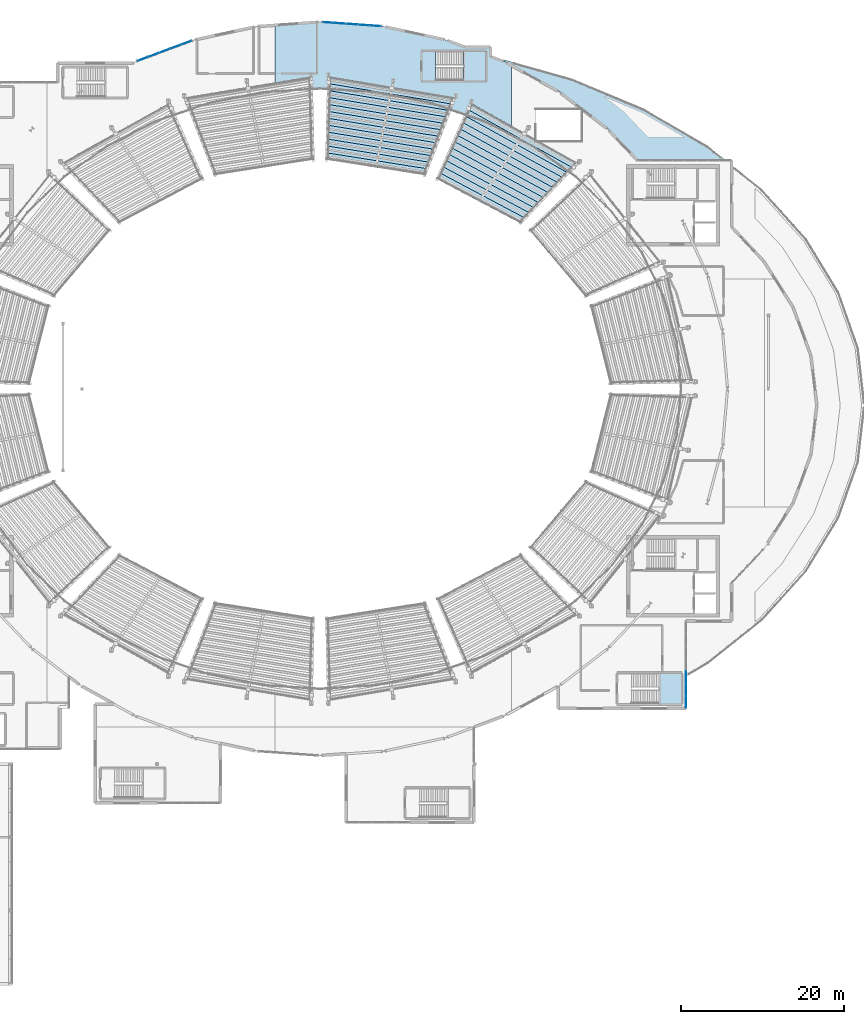
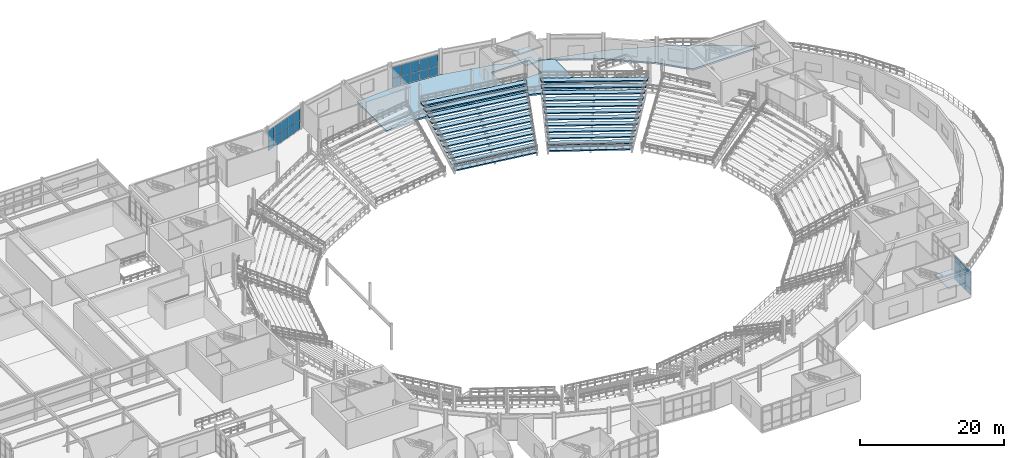
# One storey, part 50 of 81: 29 plates, 28 slabs, 5 elements without a shape of their own.
"""IFC4 building model written with IfcOpenShell, lengths in metres."""

from ifc_helpers import new_model, si_unit, direction, frame, origin, origin_2d, place, context, subcontext, project, spatial, polyline, rectangle, outline, extrude, material, layer, layer_set, type_object, element, aggregate, save


model = new_model("IFC4")

# Units and contexts
model_context = context("Model", 3, precision=1e-05, world=origin(), true_north=direction((0.0, 1.0)))
body_context = subcontext(model_context, "Body", "Model", "MODEL_VIEW")
ifc_project = project(units=[si_unit("LENGTHUNIT", "METRE"), si_unit("AREAUNIT", "SQUARE_METRE"), si_unit("VOLUMEUNIT", "CUBIC_METRE"), si_unit("PLANEANGLEUNIT", "RADIAN"), si_unit("MASSUNIT", "GRAM", prefix="KILO")], contexts=[model_context])

# Site, building, storey
site_placement = place(None, origin())
site = spatial("IfcSite", under=ifc_project, at=site_placement, CompositionType="ELEMENT")
building_placement = place(site_placement, origin())
building = spatial("IfcBuilding", under=site, at=building_placement, Name="Glasvene Arena", CompositionType="ELEMENT")
storey_placement = place(building_placement, frame((0.0, 0.0, 15.0)))
storey = spatial("IfcBuildingStorey", under=building, at=storey_placement, Name="L03", CompositionType="ELEMENT", Elevation=15.0)

# Curtain wall, plates
ifc_material_1 = material(Name="Low-emissivity laminated double glazing", Category="glass")
curtain_wall_type_1 = type_object("IfcCurtainWallType", Name="CW-FAC-L03-712x350", PredefinedType="USERDEFINED", material=ifc_material_1)
curtain_wall_1_placement = place(storey_placement, frame((69.58837890625, 113.20263671875, 0.0)))
curtain_wall_1 = element("IfcCurtainWall", 1, at=curtain_wall_1_placement, inside=storey, type_object=curtain_wall_type_1, Name="Unitised curtain wall CW-F-L03-150-729-1144-22", ObjectType="CURTAIN WALL", PredefinedType="USERDEFINED")
ifc_layer_1 = layer(ifc_material_1, 0.028076171875)
ifc_layer_set_1 = layer_set([ifc_layer_1], Name="Low-emissivity laminated double glazing")
plate_type = type_object("IfcPlateType", Name="CW-GLZ-28", PredefinedType="CURTAIN_PANEL", material=ifc_layer_set_1)
plate_1_placement = place(storey_placement, frame((70.267822265625, 113.455810546875, 0.10986328125), z_axis=(0.0, 0.0, 1.0), x_axis=(0.937011508436, 0.349298487055, 0.0)))
plate_1 = element("IfcPlate", 2, at=plate_1_placement, type_object=plate_type, Name="CW-036 panel 1.1", PredefinedType="CURTAIN_PANEL", context=body_context, shape_type="SweptSolid", body=[
    extrude(rectangle(XDim=1.349853515625, YDim=0.028076171875, at=origin_2d()), origin(), (0.0, 0.0, 1.0), 1.468017578125),
])
plate_2_placement = place(storey_placement, frame((70.267822265625, 113.455810546875, 1.6279296875), z_axis=(0.0, 0.0, 1.0), x_axis=(0.937011508436, 0.349298487055, 0.0)))
plate_2 = element("IfcPlate", 3, at=plate_2_placement, type_object=plate_type, Name="CW-036 panel 1.2", PredefinedType="CURTAIN_PANEL", context=body_context, shape_type="SweptSolid", body=[
    extrude(rectangle(XDim=1.349853515625, YDim=0.028076171875, at=origin_2d()), origin(), (0.0, 0.0, 1.0), 1.884033203125),
])
plate_3_placement = place(storey_placement, frame((71.59130859375, 113.94921875, 0.10986328125), z_axis=(0.0, 0.0, 1.0), x_axis=(0.937011508436, 0.349298487055, 0.0)))
plate_3 = element("IfcPlate", 4, at=plate_3_placement, type_object=plate_type, Name="CW-036 panel 2.1", PredefinedType="CURTAIN_PANEL", context=body_context, shape_type="SweptSolid", body=[
    extrude(rectangle(XDim=1.375, YDim=0.028076171875, at=origin_2d()), origin(), (0.0, 0.0, 1.0), 1.468017578125),
])
plate_4_placement = place(storey_placement, frame((71.59130859375, 113.94921875, 1.6279296875), z_axis=(0.0, 0.0, 1.0), x_axis=(0.937011508436, 0.349298487055, 0.0)))
plate_4 = element("IfcPlate", 5, at=plate_4_placement, type_object=plate_type, Name="CW-036 panel 2.2", PredefinedType="CURTAIN_PANEL", context=body_context, shape_type="SweptSolid", body=[
    extrude(rectangle(XDim=1.375, YDim=0.028076171875, at=origin_2d()), origin(), (0.0, 0.0, 1.0), 1.884033203125),
])
plate_5_placement = place(storey_placement, frame((72.926513671875, 114.447021484375, 0.10986328125), z_axis=(0.0, 0.0, 1.0), x_axis=(0.937011508436, 0.349298487055, 0.0)))
plate_5 = element("IfcPlate", 6, at=plate_5_placement, type_object=plate_type, Name="CW-036 panel 3.1", PredefinedType="CURTAIN_PANEL", context=body_context, shape_type="SweptSolid", body=[
    extrude(rectangle(XDim=1.375, YDim=0.028076171875, at=origin_2d()), origin(), (0.0, 0.0, 1.0), 1.468017578125),
])
plate_6_placement = place(storey_placement, frame((72.926513671875, 114.447021484375, 1.6279296875), z_axis=(0.0, 0.0, 1.0), x_axis=(0.937011508436, 0.349298487055, 0.0)))
plate_6 = element("IfcPlate", 7, at=plate_6_placement, type_object=plate_type, Name="CW-036 panel 3.2", PredefinedType="CURTAIN_PANEL", context=body_context, shape_type="SweptSolid", body=[
    extrude(rectangle(XDim=1.375, YDim=0.028076171875, at=origin_2d()), origin(), (0.0, 0.0, 1.0), 1.884033203125),
])
plate_7_placement = place(storey_placement, frame((74.261474609375, 114.94482421875, 0.10986328125), z_axis=(0.0, 0.0, 1.0), x_axis=(0.937011508436, 0.349298487055, 0.0)))
plate_7 = element("IfcPlate", 8, at=plate_7_placement, type_object=plate_type, Name="CW-036 panel 4.1", PredefinedType="CURTAIN_PANEL", context=body_context, shape_type="SweptSolid", body=[
    extrude(rectangle(XDim=1.375, YDim=0.028076171875, at=origin_2d()), origin(), (0.0, 0.0, 1.0), 1.468017578125),
])
plate_8_placement = place(storey_placement, frame((74.261474609375, 114.94482421875, 1.6279296875), z_axis=(0.0, 0.0, 1.0), x_axis=(0.937011508436, 0.349298487055, 0.0)))
plate_8 = element("IfcPlate", 9, at=plate_8_placement, type_object=plate_type, Name="CW-036 panel 4.2", PredefinedType="CURTAIN_PANEL", context=body_context, shape_type="SweptSolid", body=[
    extrude(rectangle(XDim=1.375, YDim=0.028076171875, at=origin_2d()), origin(), (0.0, 0.0, 1.0), 1.884033203125),
])
plate_9_placement = place(storey_placement, frame((75.5849609375, 115.43798828125, 0.10986328125), z_axis=(0.0, 0.0, 1.0), x_axis=(0.937011508436, 0.349298487055, 0.0)))
plate_9 = element("IfcPlate", 10, at=plate_9_placement, type_object=plate_type, Name="CW-036 panel 5.1", PredefinedType="CURTAIN_PANEL", context=body_context, shape_type="SweptSolid", body=[
    extrude(rectangle(XDim=1.349853515625, YDim=0.028076171875, at=origin_2d()), origin(), (0.0, 0.0, 1.0), 1.468017578125),
])
plate_10_placement = place(storey_placement, frame((75.5849609375, 115.43798828125, 1.6279296875), z_axis=(0.0, 0.0, 1.0), x_axis=(0.937011508436, 0.349298487055, 0.0)))
plate_10 = element("IfcPlate", 11, at=plate_10_placement, type_object=plate_type, Name="CW-036 panel 5.2", PredefinedType="CURTAIN_PANEL", context=body_context, shape_type="SweptSolid", body=[
    extrude(rectangle(XDim=1.349853515625, YDim=0.028076171875, at=origin_2d()), origin(), (0.0, 0.0, 1.0), 1.884033203125),
])
aggregate(curtain_wall_1, [plate_1, plate_2, plate_3, plate_4, plate_5, plate_6, plate_7, plate_8, plate_9, plate_10])

curtain_wall_type_2 = type_object("IfcCurtainWallType", Name="CW-FAC-L03-723x350", PredefinedType="USERDEFINED", material=ifc_material_1)
curtain_wall_2_placement = place(storey_placement, frame((92.303955078125, 117.978515625, 0.0)))
curtain_wall_2 = element("IfcCurtainWall", 12, at=curtain_wall_2_placement, inside=storey, type_object=curtain_wall_type_2, Name="Unitised curtain wall CW-F-L03-150-959-1177-25", ObjectType="CURTAIN WALL", PredefinedType="USERDEFINED")
plate_11_placement = place(storey_placement, frame((93.03759765625, 117.926513671875, 0.10986328125), z_axis=(0.0, 0.0, 1.0), x_axis=(0.997500992449, -0.070652459706, 0.0)))
plate_11 = element("IfcPlate", 13, at=plate_11_placement, type_object=plate_type, Name="CW-037 panel 1.1", PredefinedType="CURTAIN_PANEL", context=body_context, shape_type="SweptSolid", body=[
    extrude(rectangle(XDim=1.371337890625, YDim=0.028076171875, at=origin_2d()), origin(), (0.0, 0.0, 1.0), 1.468017578125),
])
plate_12_placement = place(storey_placement, frame((93.03759765625, 117.926513671875, 1.6279296875), z_axis=(0.0, 0.0, 1.0), x_axis=(0.997500992449, -0.070652459706, 0.0)))
plate_12 = element("IfcPlate", 14, at=plate_12_placement, type_object=plate_type, Name="CW-037 panel 1.2", PredefinedType="CURTAIN_PANEL", context=body_context, shape_type="SweptSolid", body=[
    extrude(rectangle(XDim=1.371337890625, YDim=0.028076171875, at=origin_2d()), origin(), (0.0, 0.0, 1.0), 1.884033203125),
])
plate_13_placement = place(storey_placement, frame((94.4677734375, 117.8251953125, 0.10986328125), z_axis=(0.0, 0.0, 1.0), x_axis=(0.997500992449, -0.070652459706, 0.0)))
plate_13 = element("IfcPlate", 15, at=plate_13_placement, type_object=plate_type, Name="CW-037 panel 2.1", PredefinedType="CURTAIN_PANEL", context=body_context, shape_type="SweptSolid", body=[
    extrude(rectangle(XDim=1.396240234375, YDim=0.028076171875, at=origin_2d()), origin(), (0.0, 0.0, 1.0), 1.468017578125),
])
plate_14_placement = place(storey_placement, frame((94.4677734375, 117.8251953125, 1.6279296875), z_axis=(0.0, 0.0, 1.0), x_axis=(0.997500992449, -0.070652459706, 0.0)))
plate_14 = element("IfcPlate", 16, at=plate_14_placement, type_object=plate_type, Name="CW-037 panel 2.2", PredefinedType="CURTAIN_PANEL", context=body_context, shape_type="SweptSolid", body=[
    extrude(rectangle(XDim=1.396240234375, YDim=0.028076171875, at=origin_2d()), origin(), (0.0, 0.0, 1.0), 1.884033203125),
])
plate_15_placement = place(storey_placement, frame((95.910400390625, 117.72314453125, 0.10986328125), z_axis=(0.0, 0.0, 1.0), x_axis=(0.997500992449, -0.070652459706, 0.0)))
plate_15 = element("IfcPlate", 17, at=plate_15_placement, type_object=plate_type, Name="CW-037 panel 3.1", PredefinedType="CURTAIN_PANEL", context=body_context, shape_type="SweptSolid", body=[
    extrude(rectangle(XDim=1.396240234375, YDim=0.028076171875, at=origin_2d()), origin(), (0.0, 0.0, 1.0), 1.468017578125),
])
plate_16_placement = place(storey_placement, frame((95.910400390625, 117.72314453125, 1.6279296875), z_axis=(0.0, 0.0, 1.0), x_axis=(0.997500992449, -0.070652459706, 0.0)))
plate_16 = element("IfcPlate", 18, at=plate_16_placement, type_object=plate_type, Name="CW-037 panel 3.2", PredefinedType="CURTAIN_PANEL", context=body_context, shape_type="SweptSolid", body=[
    extrude(rectangle(XDim=1.396240234375, YDim=0.028076171875, at=origin_2d()), origin(), (0.0, 0.0, 1.0), 1.884033203125),
])
plate_17_placement = place(storey_placement, frame((97.35302734375, 117.620849609375, 0.10986328125), z_axis=(0.0, 0.0, 1.0), x_axis=(0.997500992449, -0.070652459706, 0.0)))
plate_17 = element("IfcPlate", 19, at=plate_17_placement, type_object=plate_type, Name="CW-037 panel 4.1", PredefinedType="CURTAIN_PANEL", context=body_context, shape_type="SweptSolid", body=[
    extrude(rectangle(XDim=1.396240234375, YDim=0.028076171875, at=origin_2d()), origin(), (0.0, 0.0, 1.0), 1.468017578125),
])
plate_18_placement = place(storey_placement, frame((97.35302734375, 117.620849609375, 1.6279296875), z_axis=(0.0, 0.0, 1.0), x_axis=(0.997500992449, -0.070652459706, 0.0)))
plate_18 = element("IfcPlate", 20, at=plate_18_placement, type_object=plate_type, Name="CW-037 panel 4.2", PredefinedType="CURTAIN_PANEL", context=body_context, shape_type="SweptSolid", body=[
    extrude(rectangle(XDim=1.396240234375, YDim=0.028076171875, at=origin_2d()), origin(), (0.0, 0.0, 1.0), 1.884033203125),
])
plate_19_placement = place(storey_placement, frame((98.783203125, 117.51953125, 0.10986328125), z_axis=(0.0, 0.0, 1.0), x_axis=(0.997500992449, -0.070652459706, 0.0)))
plate_19 = element("IfcPlate", 21, at=plate_19_placement, type_object=plate_type, Name="CW-037 panel 5.1", PredefinedType="CURTAIN_PANEL", context=body_context, shape_type="SweptSolid", body=[
    extrude(rectangle(XDim=1.371337890625, YDim=0.028076171875, at=origin_2d()), origin(), (0.0, 0.0, 1.0), 1.468017578125),
])
plate_20_placement = place(storey_placement, frame((98.783203125, 117.51953125, 1.6279296875), z_axis=(0.0, 0.0, 1.0), x_axis=(0.997500992449, -0.070652459706, 0.0)))
plate_20 = element("IfcPlate", 22, at=plate_20_placement, type_object=plate_type, Name="CW-037 panel 5.2", PredefinedType="CURTAIN_PANEL", context=body_context, shape_type="SweptSolid", body=[
    extrude(rectangle(XDim=1.371337890625, YDim=0.028076171875, at=origin_2d()), origin(), (0.0, 0.0, 1.0), 1.884033203125),
])
aggregate(curtain_wall_2, [plate_11, plate_12, plate_13, plate_14, plate_15, plate_16, plate_17, plate_18, plate_19, plate_20])

curtain_wall_type_3 = type_object("IfcCurtainWallType", Name="CW-FAC-L03-1062x419", PredefinedType="USERDEFINED", material=ifc_material_1)
curtain_wall_3_placement = place(storey_placement, frame((136.89990234375, 44.4599609375, 0.0)))
curtain_wall_3 = element("IfcCurtainWall", 23, at=curtain_wall_3_placement, inside=storey, type_object=curtain_wall_type_3, Name="Unitised curtain wall CW-F-L03-180-1369-392-46", ObjectType="CURTAIN WALL", PredefinedType="USERDEFINED")
plate_21_placement = place(storey_placement, frame((136.89990234375, 37.6328125, 0.10986328125), z_axis=(0.0, 0.0, 1.0), x_axis=(0.0, -1.0, 0.0)))
plate_21 = element("IfcPlate", 24, at=plate_21_placement, type_object=plate_type, Name="CW-040 panel 5.1", PredefinedType="CURTAIN_PANEL", context=body_context, shape_type="SweptSolid", body=[
    extrude(rectangle(XDim=1.467041015625, YDim=0.028076171875, at=origin_2d()), origin(), (0.0, 0.0, 1.0), 0.965087890625),
])
plate_22_placement = place(storey_placement, frame((136.89990234375, 37.6328125, 1.125), z_axis=(0.0, 0.0, 1.0), x_axis=(0.0, -1.0, 0.0)))
plate_22 = element("IfcPlate", 25, at=plate_22_placement, type_object=plate_type, Name="CW-040 panel 5.2", PredefinedType="CURTAIN_PANEL", context=body_context, shape_type="SweptSolid", body=[
    extrude(rectangle(XDim=1.467041015625, YDim=0.028076171875, at=origin_2d()), origin(), (0.0, 0.0, 1.0), 2.199951171875),
])
plate_23_placement = place(storey_placement, frame((136.89990234375, 37.6328125, 3.375), z_axis=(0.0, 0.0, 1.0), x_axis=(0.0, -1.0, 0.0)))
plate_23 = element("IfcPlate", 26, at=plate_23_placement, type_object=plate_type, Name="CW-040 panel 5.3", PredefinedType="CURTAIN_PANEL", context=body_context, shape_type="SweptSolid", body=[
    extrude(rectangle(XDim=1.467041015625, YDim=0.028076171875, at=origin_2d()), origin(), (0.0, 0.0, 1.0), 0.824951171875),
])
plate_24_placement = place(storey_placement, frame((136.89990234375, 36.11572265625, 0.10986328125), z_axis=(0.0, 0.0, 1.0), x_axis=(0.0, -1.0, 0.0)))
plate_24 = element("IfcPlate", 27, at=plate_24_placement, type_object=plate_type, Name="CW-040 panel 6.1", PredefinedType="CURTAIN_PANEL", context=body_context, shape_type="SweptSolid", body=[
    extrude(rectangle(XDim=1.467041015625, YDim=0.028076171875, at=origin_2d()), origin(), (0.0, 0.0, 1.0), 0.965087890625),
])
plate_25_placement = place(storey_placement, frame((136.89990234375, 36.11572265625, 1.125), z_axis=(0.0, 0.0, 1.0), x_axis=(0.0, -1.0, 0.0)))
plate_25 = element("IfcPlate", 28, at=plate_25_placement, type_object=plate_type, Name="CW-040 panel 6.2", PredefinedType="CURTAIN_PANEL", context=body_context, shape_type="SweptSolid", body=[
    extrude(rectangle(XDim=1.467041015625, YDim=0.028076171875, at=origin_2d()), origin(), (0.0, 0.0, 1.0), 2.199951171875),
])
plate_26_placement = place(storey_placement, frame((136.89990234375, 36.11572265625, 3.375), z_axis=(0.0, 0.0, 1.0), x_axis=(0.0, -1.0, 0.0)))
plate_26 = element("IfcPlate", 29, at=plate_26_placement, type_object=plate_type, Name="CW-040 panel 6.3", PredefinedType="CURTAIN_PANEL", context=body_context, shape_type="SweptSolid", body=[
    extrude(rectangle(XDim=1.467041015625, YDim=0.028076171875, at=origin_2d()), origin(), (0.0, 0.0, 1.0), 0.824951171875),
])
plate_27_placement = place(storey_placement, frame((136.89990234375, 34.611083984375, 0.10986328125), z_axis=(0.0, 0.0, 1.0), x_axis=(0.0, -1.0, 0.0)))
plate_27 = element("IfcPlate", 30, at=plate_27_placement, type_object=plate_type, Name="CW-040 panel 7.1", PredefinedType="CURTAIN_PANEL", context=body_context, shape_type="SweptSolid", body=[
    extrude(rectangle(XDim=1.442138671875, YDim=0.028076171875, at=origin_2d()), origin(), (0.0, 0.0, 1.0), 0.965087890625),
])
plate_28_placement = place(storey_placement, frame((136.89990234375, 34.611083984375, 1.125), z_axis=(0.0, 0.0, 1.0), x_axis=(0.0, -1.0, 0.0)))
plate_28 = element("IfcPlate", 31, at=plate_28_placement, type_object=plate_type, Name="CW-040 panel 7.2", PredefinedType="CURTAIN_PANEL", context=body_context, shape_type="SweptSolid", body=[
    extrude(rectangle(XDim=1.442138671875, YDim=0.028076171875, at=origin_2d()), origin(), (0.0, 0.0, 1.0), 2.199951171875),
])
plate_29_placement = place(storey_placement, frame((136.89990234375, 34.611083984375, 3.375), z_axis=(0.0, 0.0, 1.0), x_axis=(0.0, -1.0, 0.0)))
plate_29 = element("IfcPlate", 32, at=plate_29_placement, type_object=plate_type, Name="CW-040 panel 7.3", PredefinedType="CURTAIN_PANEL", context=body_context, shape_type="SweptSolid", body=[
    extrude(rectangle(XDim=1.442138671875, YDim=0.028076171875, at=origin_2d()), origin(), (0.0, 0.0, 1.0), 0.824951171875),
])
aggregate(curtain_wall_3, [plate_21, plate_22, plate_23, plate_24, plate_25, plate_26, plate_27, plate_28, plate_29])

# Slab
ifc_material_2 = material(Name="Concrete C40/50", Category="concrete")
ifc_layer_2 = layer(ifc_material_2, 0.280029296875)
ifc_layer_set_2 = layer_set([ifc_layer_2], Name="Concrete C40/50")
slab_type_1 = type_object("IfcSlabType", Name="SL-CONC-280", PredefinedType="FLOOR", material=ifc_layer_set_2)
slab_1_placement = place(storey_placement, frame((104.142333984375, 112.2744140625, -0.280029296875)))
element("IfcSlab", 33, at=slab_1_placement, inside=storey, type_object=slab_type_1, Name="Structural floor slab L03 sector 4-4 (98)", PredefinedType="FLOOR", context=body_context, shape_type="SweptSolid", body=[
    extrude(outline(polyline([(-4.320556640625, 5.171630859375), (3.308349609375, 3.523193359375), (5.581787109375, 2.675537109375), (8.757568359375, 2.675537109375), (8.757568359375, 1.49169921875), (10.55712890625, 0.82080078125), (11.357666015625, 0.37939453125), (11.357666015625, -8.321533203125), (7.924072265625, -6.574462890625), (1.516357421875, -4.37060546875), (-5.22802734375, -3.026123046875), (-12.142333984375, -2.574462890625), (-17.642333984375, -2.933837890625), (-17.642333984375, 5.3359375), (-12.142333984375, 5.7255859375), (-4.320556640625, 5.171630859375)]), holes=[polyline([(8.15771484375, -1.474365234375), (8.15771484375, 2.07568359375), (2.0595703125, 2.07568359375), (2.0595703125, -1.474365234375), (8.15771484375, -1.474365234375)])]), origin(), (0.0, 0.0, 1.0), 0.280029296875),
])

# Stair, slab
stair_type_1 = type_object("IfcStairType", Name="ST-HT-450-170", PredefinedType="HALF_TURN_STAIR", material=ifc_material_2)
stair_1_placement = place(storey_placement, origin())
stair_1 = element("IfcStair", 34, at=stair_1_placement, inside=storey, type_object=stair_type_1, Name="Protected escape stair ST-06 (L03 to L04)", PredefinedType="HALF_TURN_STAIR")
ifc_layer_3 = layer(ifc_material_2, 0.219970703125)
ifc_layer_set_3 = layer_set([ifc_layer_3], Name="Concrete C40/50")
slab_type_2 = type_object("IfcSlabType", Name="SL-LAND-220", PredefinedType="LANDING", material=ifc_layer_set_3)
slab_2_placement = place(storey_placement, frame((134.97998046875, 36.22509765625, 2.030029296875)))
slab_2 = element("IfcSlab", 35, at=slab_2_placement, type_object=slab_type_2, Name="Protected escape stair ST-06 (L03 to L04) landing 1", PredefinedType="LANDING", context=body_context, shape_type="SweptSolid", body=[
    extrude(outline(polyline([(-1.419921875, -1.925048828125), (1.419921875, -1.925048828125), (1.419921875, 1.9248046875), (-1.419921875, 1.9248046875), (-1.419921875, -1.925048828125)])), origin(), (0.0, 0.0, 1.0), 0.219970703125),
])
aggregate(stair_1, [slab_2])

stair_type_2 = type_object("IfcStairType", Name="ST-HT-450-165", PredefinedType="HALF_TURN_STAIR", material=ifc_material_2)
stair_2_placement = place(storey_placement, origin())
stair_2 = element("IfcStair", 36, at=stair_2_placement, inside=storey, type_object=stair_type_2, Name="Protected escape stair ST-11 (L03 to L04)", PredefinedType="HALF_TURN_STAIR")
slab_3_placement = place(storey_placement, frame((110.97998046875, 112.574951171875, 2.030029296875)))
slab_3 = element("IfcSlab", 37, at=slab_3_placement, type_object=slab_type_2, Name="Protected escape stair ST-11 (L03 to L04) landing 1", PredefinedType="LANDING", context=body_context, shape_type="SweptSolid", body=[
    extrude(outline(polyline([(-1.419921875, -1.875), (1.419921875, -1.875), (1.419921875, 1.875), (-1.419921875, 1.875), (-1.419921875, -1.875)])), origin(), (0.0, 0.0, 1.0), 0.219970703125),
])
aggregate(stair_2, [slab_3])

# Slabs
ifc_layer_4 = layer(ifc_material_2, 0.280029296875)
ifc_layer_set_4 = layer_set([ifc_layer_4], Name="Concrete C40/50")
slab_type_3 = type_object("IfcSlabType", Name="SL-TERR-280", PredefinedType="FLOOR", material=ifc_layer_set_4)
slab_4_placement = place(storey_placement, frame((125.691162109375, 107.8037109375, -0.280029296875)))
element("IfcSlab", 38, at=slab_4_placement, inside=storey, type_object=slab_type_3, Name="Planted limestone terrace slab TR-L03-STEP2-2", PredefinedType="FLOOR", context=body_context, shape_type="SweptSolid", body=[
    extrude(outline(polyline([(-2.773193359375, 3.202392578125), (6.0439453125, -0.478759765625), (13.9072265625, -5.0546875), (16.049560546875, -6.763671875), (5.30615234375, -6.763671875), (1.69091796875, -2.9541015625), (-4.280029296875, 1.635498046875), (-10.972412109375, 5.32666015625), (-12.6455078125, 5.95068359375), (-12.326904296875, 5.898681640625), (-2.773193359375, 3.202392578125)])), origin(), (0.0, 0.0, 1.0), 0.280029296875),
])
ifc_material_3 = material(Name="Precast concrete C50/60", Category="concrete")
ifc_layer_5 = layer(ifc_material_3, 0.199951171875)
ifc_layer_set_5 = layer_set([ifc_layer_5], Name="Precast concrete C50/60")
slab_type_4 = type_object("IfcSlabType", Name="SL-TIER-UP", PredefinedType="USERDEFINED", material=ifc_layer_set_5)
slab_5_placement = place(storey_placement, frame((111.71337890625, 96.36083984375, -4.10009765625)))
element("IfcSlab", 39, at=slab_5_placement, inside=storey, type_object=slab_type_4, Name="Stand upper tier sector 03 row 01", ObjectType="SEATING TIER", PredefinedType="USERDEFINED", context=body_context, shape_type="SweptSolid", body=[
    extrude(outline(polyline([(4.882080078125, -3.04541015625), (-5.34716796875, 2.349609375), (-5.004150390625, 3.127197265625), (5.46923828125, -2.430908203125), (4.882080078125, -3.04541015625)])), origin(), (0.0, 0.0, 1.0), 0.2001953125),
])
slab_6_placement = place(storey_placement, frame((112.178466796875, 97.05712890625, -3.6201171875)))
element("IfcSlab", 40, at=slab_6_placement, inside=storey, type_object=slab_type_4, Name="Stand upper tier sector 03 row 02", ObjectType="SEATING TIER", PredefinedType="USERDEFINED", context=body_context, shape_type="SweptSolid", body=[
    extrude(outline(polyline([(5.004150390625, -3.127197265625), (-5.46923828125, 2.430908203125), (-5.126220703125, 3.208740234375), (5.591552734375, -2.5126953125), (5.004150390625, -3.127197265625)])), origin(), (0.0, 0.0, 1.0), 0.2001953125),
])
slab_7_placement = place(storey_placement, frame((112.6435546875, 97.753173828125, -3.139892578125)))
element("IfcSlab", 41, at=slab_7_placement, inside=storey, type_object=slab_type_4, Name="Stand upper tier sector 03 row 03", ObjectType="SEATING TIER", PredefinedType="USERDEFINED", context=body_context, shape_type="SweptSolid", body=[
    extrude(outline(polyline([(5.12646484375, -3.208740234375), (-5.59130859375, 2.5126953125), (-5.248291015625, 3.290283203125), (5.713623046875, -2.59423828125), (5.12646484375, -3.208740234375)])), origin(), (0.0, 0.0, 1.0), 0.199951171875),
])
slab_8_placement = place(storey_placement, frame((113.10888671875, 98.44921875, -2.659912109375)))
element("IfcSlab", 42, at=slab_8_placement, inside=storey, type_object=slab_type_4, Name="Stand upper tier sector 03 row 04", ObjectType="SEATING TIER", PredefinedType="USERDEFINED", context=body_context, shape_type="SweptSolid", body=[
    extrude(outline(polyline([(5.248291015625, -3.290283203125), (-5.713623046875, 2.59423828125), (-5.37060546875, 3.3720703125), (5.83544921875, -2.67578125), (5.248291015625, -3.290283203125)])), origin(), (0.0, 0.0, 1.0), 0.199951171875),
])
slab_9_placement = place(storey_placement, frame((113.573974609375, 99.1455078125, -2.179931640625)))
element("IfcSlab", 43, at=slab_9_placement, inside=storey, type_object=slab_type_4, Name="Stand upper tier sector 03 row 05", ObjectType="SEATING TIER", PredefinedType="USERDEFINED", context=body_context, shape_type="SweptSolid", body=[
    extrude(outline(polyline([(5.370361328125, -3.3720703125), (-5.835693359375, 2.67578125), (-5.49267578125, 3.453369140625), (5.957763671875, -2.757568359375), (5.370361328125, -3.3720703125)])), origin(), (0.0, 0.0, 1.0), 0.199951171875),
])
slab_10_placement = place(storey_placement, frame((114.0390625, 99.841552734375, -1.699951171875)))
element("IfcSlab", 44, at=slab_10_placement, inside=storey, type_object=slab_type_4, Name="Stand upper tier sector 03 row 06", ObjectType="SEATING TIER", PredefinedType="USERDEFINED", context=body_context, shape_type="SweptSolid", body=[
    extrude(outline(polyline([(5.49267578125, -3.45361328125), (-5.957763671875, 2.75732421875), (-5.61474609375, 3.53515625), (6.079833984375, -2.839111328125), (5.49267578125, -3.45361328125)])), origin(), (0.0, 0.0, 1.0), 0.199951171875),
])
slab_11_placement = place(storey_placement, frame((114.504150390625, 100.53759765625, -1.219970703125)))
element("IfcSlab", 45, at=slab_11_placement, inside=storey, type_object=slab_type_4, Name="Stand upper tier sector 03 row 07", ObjectType="SEATING TIER", PredefinedType="USERDEFINED", context=body_context, shape_type="SweptSolid", body=[
    extrude(outline(polyline([(5.61474609375, -3.53515625), (-6.079833984375, 2.839111328125), (-5.73681640625, 3.61669921875), (6.2021484375, -2.920654296875), (5.61474609375, -3.53515625)])), origin(), (0.0, 0.0, 1.0), 0.199951171875),
])
slab_12_placement = place(storey_placement, frame((114.96923828125, 101.23388671875, -0.739990234375)))
element("IfcSlab", 46, at=slab_12_placement, inside=storey, type_object=slab_type_4, Name="Stand upper tier sector 03 row 08", ObjectType="SEATING TIER", PredefinedType="USERDEFINED", context=body_context, shape_type="SweptSolid", body=[
    extrude(outline(polyline([(5.737060546875, -3.616943359375), (-6.201904296875, 2.92041015625), (-5.85888671875, 3.6982421875), (6.32421875, -3.002197265625), (5.737060546875, -3.616943359375)])), origin(), (0.0, 0.0, 1.0), 0.199951171875),
])
slab_13_placement = place(storey_placement, frame((115.434326171875, 101.929931640625, -0.260009765625)))
element("IfcSlab", 47, at=slab_13_placement, inside=storey, type_object=slab_type_4, Name="Stand upper tier sector 03 row 09", ObjectType="SEATING TIER", PredefinedType="USERDEFINED", context=body_context, shape_type="SweptSolid", body=[
    extrude(outline(polyline([(5.859130859375, -3.6982421875), (-6.323974609375, 3.002197265625), (-5.98095703125, 3.77978515625), (6.4462890625, -3.083740234375), (5.859130859375, -3.6982421875)])), origin(), (0.0, 0.0, 1.0), 0.199951171875),
])
slab_14_placement = place(storey_placement, frame((115.899658203125, 102.6259765625, 0.219970703125)))
element("IfcSlab", 48, at=slab_14_placement, inside=storey, type_object=slab_type_4, Name="Stand upper tier sector 03 row 10", ObjectType="SEATING TIER", PredefinedType="USERDEFINED", context=body_context, shape_type="SweptSolid", body=[
    extrude(outline(polyline([(5.98095703125, -3.77978515625), (-6.4462890625, 3.083740234375), (-6.103271484375, 3.861572265625), (6.568359375, -3.165283203125), (5.98095703125, -3.77978515625)])), origin(), (0.0, 0.0, 1.0), 0.199951171875),
])
slab_15_placement = place(storey_placement, frame((116.36474609375, 103.322021484375, 0.699951171875)))
element("IfcSlab", 49, at=slab_15_placement, inside=storey, type_object=slab_type_4, Name="Stand upper tier sector 03 row 11", ObjectType="SEATING TIER", PredefinedType="USERDEFINED", context=body_context, shape_type="SweptSolid", body=[
    extrude(outline(polyline([(6.103271484375, -3.861328125), (-6.568359375, 3.16552734375), (-6.225341796875, 3.943115234375), (6.6904296875, -3.246826171875), (6.103271484375, -3.861328125)])), origin(), (0.0, 0.0, 1.0), 0.199951171875),
])
slab_16_placement = place(storey_placement, frame((116.829833984375, 104.018310546875, 1.179931640625)))
element("IfcSlab", 50, at=slab_16_placement, inside=storey, type_object=slab_type_4, Name="Stand upper tier sector 03 row 12", ObjectType="SEATING TIER", PredefinedType="USERDEFINED", context=body_context, shape_type="SweptSolid", body=[
    extrude(outline(polyline([(6.225341796875, -3.943115234375), (-6.6904296875, 3.246826171875), (-6.347412109375, 4.024658203125), (6.8125, -3.32861328125), (6.225341796875, -3.943115234375)])), origin(), (0.0, 0.0, 1.0), 0.199951171875),
])
slab_17_placement = place(storey_placement, frame((98.92236328125, 100.55615234375, -4.10009765625)))
element("IfcSlab", 51, at=slab_17_placement, inside=storey, type_object=slab_type_4, Name="Stand upper tier sector 04 row 01", ObjectType="SEATING TIER", PredefinedType="USERDEFINED", context=body_context, shape_type="SweptSolid", body=[
    extrude(outline(polyline([(5.951416015625, -1.35791015625), (-6.11474609375, 0.53662109375), (-6.095458984375, 1.38623046875), (6.2587890625, -0.5654296875), (5.951416015625, -1.35791015625)])), origin(), (0.0, 0.0, 1.0), 0.2001953125),
])
slab_18_placement = place(storey_placement, frame((99.085693359375, 101.377197265625, -3.6201171875)))
element("IfcSlab", 52, at=slab_18_placement, inside=storey, type_object=slab_type_4, Name="Stand upper tier sector 04 row 02", ObjectType="SEATING TIER", PredefinedType="USERDEFINED", context=body_context, shape_type="SweptSolid", body=[
    extrude(outline(polyline([(6.095458984375, -1.386474609375), (-6.2587890625, 0.565185546875), (-6.239501953125, 1.4150390625), (6.40283203125, -0.593994140625), (6.095458984375, -1.386474609375)])), origin(), (0.0, 0.0, 1.0), 0.2001953125),
])
slab_19_placement = place(storey_placement, frame((99.2490234375, 102.1982421875, -3.139892578125)))
element("IfcSlab", 53, at=slab_19_placement, inside=storey, type_object=slab_type_4, Name="Stand upper tier sector 04 row 03", ObjectType="SEATING TIER", PredefinedType="USERDEFINED", context=body_context, shape_type="SweptSolid", body=[
    extrude(outline(polyline([(6.239501953125, -1.4150390625), (-6.40283203125, 0.593994140625), (-6.383544921875, 1.44384765625), (6.546875, -0.62255859375), (6.239501953125, -1.4150390625)])), origin(), (0.0, 0.0, 1.0), 0.199951171875),
])
slab_20_placement = place(storey_placement, frame((99.412353515625, 103.01953125, -2.659912109375)))
element("IfcSlab", 54, at=slab_20_placement, inside=storey, type_object=slab_type_4, Name="Stand upper tier sector 04 row 04", ObjectType="SEATING TIER", PredefinedType="USERDEFINED", context=body_context, shape_type="SweptSolid", body=[
    extrude(outline(polyline([(6.383544921875, -1.44384765625), (-6.546875, 0.62255859375), (-6.527587890625, 1.472412109375), (6.691162109375, -0.6513671875), (6.383544921875, -1.44384765625)])), origin(), (0.0, 0.0, 1.0), 0.199951171875),
])
slab_21_placement = place(storey_placement, frame((99.57568359375, 103.840576171875, -2.179931640625)))
element("IfcSlab", 55, at=slab_21_placement, inside=storey, type_object=slab_type_4, Name="Stand upper tier sector 04 row 05", ObjectType="SEATING TIER", PredefinedType="USERDEFINED", context=body_context, shape_type="SweptSolid", body=[
    extrude(outline(polyline([(6.52783203125, -1.472412109375), (-6.69091796875, 0.6513671875), (-6.671630859375, 1.501220703125), (6.8349609375, -0.679931640625), (6.52783203125, -1.472412109375)])), origin(), (0.0, 0.0, 1.0), 0.199951171875),
])
slab_22_placement = place(storey_placement, frame((99.739013671875, 104.661865234375, -1.699951171875)))
element("IfcSlab", 56, at=slab_22_placement, inside=storey, type_object=slab_type_4, Name="Stand upper tier sector 04 row 06", ObjectType="SEATING TIER", PredefinedType="USERDEFINED", context=body_context, shape_type="SweptSolid", body=[
    extrude(outline(polyline([(6.671630859375, -1.501220703125), (-6.8349609375, 0.679931640625), (-6.815673828125, 1.529541015625), (6.97900390625, -0.708740234375), (6.671630859375, -1.501220703125)])), origin(), (0.0, 0.0, 1.0), 0.199951171875),
])
slab_23_placement = place(storey_placement, frame((99.90234375, 105.48291015625, -1.219970703125)))
element("IfcSlab", 57, at=slab_23_placement, inside=storey, type_object=slab_type_4, Name="Stand upper tier sector 04 row 07", ObjectType="SEATING TIER", PredefinedType="USERDEFINED", context=body_context, shape_type="SweptSolid", body=[
    extrude(outline(polyline([(6.815673828125, -1.52978515625), (-6.97900390625, 0.70849609375), (-6.959716796875, 1.558349609375), (7.123046875, -0.7373046875), (6.815673828125, -1.52978515625)])), origin(), (0.0, 0.0, 1.0), 0.199951171875),
])
slab_24_placement = place(storey_placement, frame((100.065673828125, 106.303955078125, -0.739990234375)))
element("IfcSlab", 58, at=slab_24_placement, inside=storey, type_object=slab_type_4, Name="Stand upper tier sector 04 row 08", ObjectType="SEATING TIER", PredefinedType="USERDEFINED", context=body_context, shape_type="SweptSolid", body=[
    extrude(outline(polyline([(6.959716796875, -1.558349609375), (-7.123046875, 0.7373046875), (-7.103759765625, 1.587158203125), (7.267333984375, -0.765869140625), (6.959716796875, -1.558349609375)])), origin(), (0.0, 0.0, 1.0), 0.199951171875),
])
slab_25_placement = place(storey_placement, frame((100.22900390625, 107.125244140625, -0.260009765625)))
element("IfcSlab", 59, at=slab_25_placement, inside=storey, type_object=slab_type_4, Name="Stand upper tier sector 04 row 09", ObjectType="SEATING TIER", PredefinedType="USERDEFINED", context=body_context, shape_type="SweptSolid", body=[
    extrude(outline(polyline([(7.10400390625, -1.587158203125), (-7.26708984375, 0.765869140625), (-7.247802734375, 1.615478515625), (7.411376953125, -0.794677734375), (7.10400390625, -1.587158203125)])), origin(), (0.0, 0.0, 1.0), 0.199951171875),
])
slab_26_placement = place(storey_placement, frame((100.392333984375, 107.9462890625, 0.219970703125)))
element("IfcSlab", 60, at=slab_26_placement, inside=storey, type_object=slab_type_4, Name="Stand upper tier sector 04 row 10", ObjectType="SEATING TIER", PredefinedType="USERDEFINED", context=body_context, shape_type="SweptSolid", body=[
    extrude(outline(polyline([(7.248046875, -1.61572265625), (-7.4111328125, 0.79443359375), (-7.391845703125, 1.644287109375), (7.55517578125, -0.8232421875), (7.248046875, -1.61572265625)])), origin(), (0.0, 0.0, 1.0), 0.199951171875),
])
slab_27_placement = place(storey_placement, frame((100.5556640625, 108.767333984375, 0.699951171875)))
element("IfcSlab", 61, at=slab_27_placement, inside=storey, type_object=slab_type_4, Name="Stand upper tier sector 04 row 11", ObjectType="SEATING TIER", PredefinedType="USERDEFINED", context=body_context, shape_type="SweptSolid", body=[
    extrude(outline(polyline([(7.391845703125, -1.644287109375), (-7.55517578125, 0.8232421875), (-7.535888671875, 1.673095703125), (7.69921875, -0.851806640625), (7.391845703125, -1.644287109375)])), origin(), (0.0, 0.0, 1.0), 0.199951171875),
])
slab_28_placement = place(storey_placement, frame((100.718994140625, 109.58837890625, 1.179931640625)))
element("IfcSlab", 62, at=slab_28_placement, inside=storey, type_object=slab_type_4, Name="Stand upper tier sector 04 row 12", ObjectType="SEATING TIER", PredefinedType="USERDEFINED", context=body_context, shape_type="SweptSolid", body=[
    extrude(outline(polyline([(7.535888671875, -1.6728515625), (-7.69921875, 0.85205078125), (-7.679931640625, 1.70166015625), (7.843505859375, -0.88037109375), (7.535888671875, -1.6728515625)])), origin(), (0.0, 0.0, 1.0), 0.199951171875),
])

save(model, "model.ifc")
